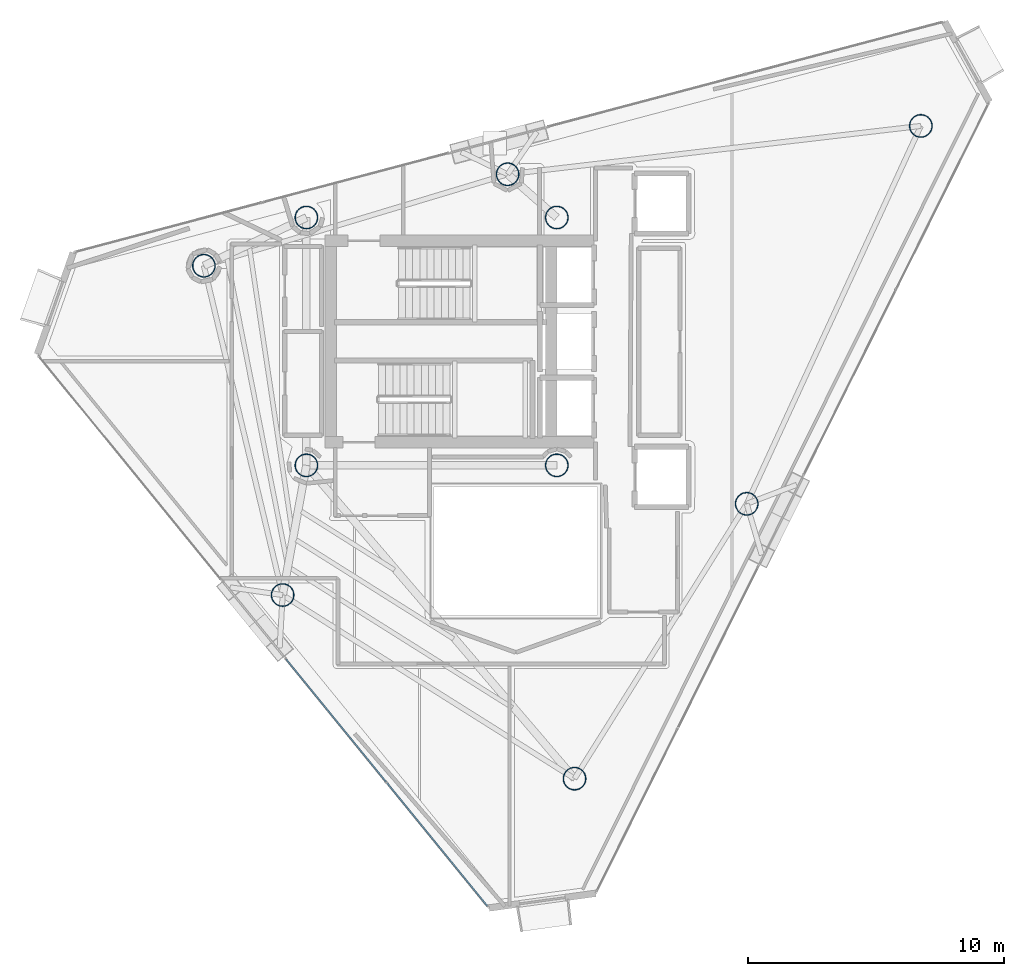
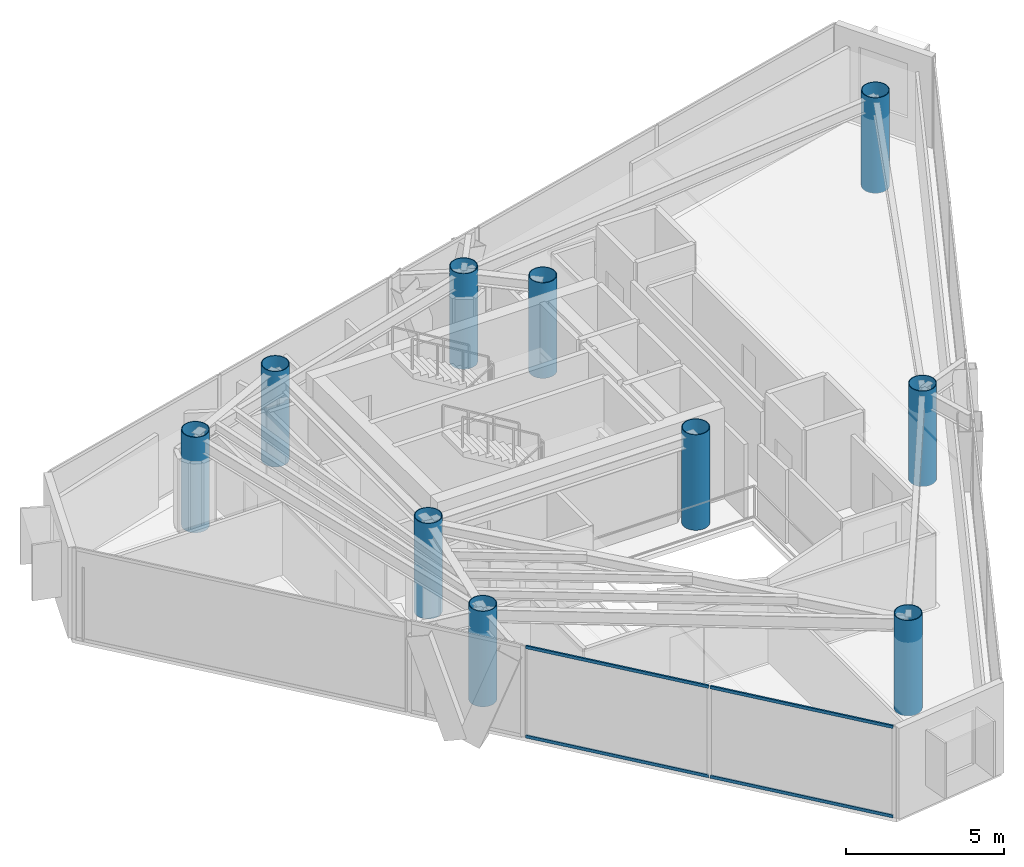
# One storey, part 1 of 23: 10 columns, 4 members, 1 element without a shape of its own.
"""IFC4 building model written with IfcOpenShell, lengths in metres."""

from ifc_helpers import new_model, si_unit, direction, frame, origin, origin_2d, place, context, subcontext, project, spatial, hollow_rectangle, hollow_circle, extrude, material, layer, layer_set, material_profile, profile_set, type_object, element, aggregate, save


model = new_model("IFC4")

# Units and contexts
model_context = context("Model", 3, precision=1e-05, world=origin(), true_north=direction((0.0, 1.0)))
body_context = subcontext(model_context, "Body", "Model", "MODEL_VIEW")
ifc_project = project(units=[si_unit("LENGTHUNIT", "METRE"), si_unit("AREAUNIT", "SQUARE_METRE"), si_unit("VOLUMEUNIT", "CUBIC_METRE"), si_unit("PLANEANGLEUNIT", "RADIAN"), si_unit("MASSUNIT", "GRAM", prefix="KILO")], contexts=[model_context])

# Site, building, storey
site_placement = place(None, origin())
site = spatial("IfcSite", under=ifc_project, at=site_placement, CompositionType="ELEMENT")
building_placement = place(site_placement, origin())
building = spatial("IfcBuilding", under=site, at=building_placement, Name="Qianvela Tower", CompositionType="ELEMENT")
storey_placement = place(building_placement, frame((0.0, 0.0, 313.89990234375)))
storey = spatial("IfcBuildingStorey", under=building, at=storey_placement, Name="L81", CompositionType="ELEMENT", Elevation=313.89990234375)

# Columns
ifc_material_1 = material(Name="Steel Q420GJC", Category="steel")
ifc_material_profile_1 = material_profile(ifc_material_1, hollow_circle(Radius=0.449951171875, WallThickness=0.02490234375, at=origin_2d()), Name="CFT-900x25")
ifc_profile_set_1 = profile_set([ifc_material_profile_1], Name="Steel Q420GJC")
column_type = type_object("IfcColumnType", Name="COL-CFT-900x25", PredefinedType="COLUMN", material=ifc_profile_set_1)
for number, where, z_axis, x_axis, name in (
    (1, (28.60009765625, 33.550048828125, 0.0), (0.0, 0.0, 1.0), (1.0, 0.0, 0.0), "L81 Core Corner Mega-Column CC-NW"),
    (2, (28.60009765625, 23.85009765625, 0.0), (0.0, 0.0, 1.0), (1.0, 0.0, 0.0), "L81 Core Corner Mega-Column CC-SW"),
    (3, (38.39990234375, 33.550048828125, 0.0), (0.0, 0.0, 1.0), (1.0, 0.0, 0.0), "L81 Core Corner Mega-Column CC-NE"),
    (4, (38.39990234375, 23.85009765625, 0.0), (0.0, 0.0, 1.0), (1.0, 0.0, 0.0), "L81 Core Corner Mega-Column CC-SE"),
    (5, (52.64794921875, 37.135009765625, 0.0), (0.0, 0.0, 1.0), (1.0, 0.0, 0.0), "L81 Zone Z7 CFT Mega-Column C1"),
    (6, (36.47607421875, 35.242919921875, 0.0), (0.0, 0.0, 1.0), (1.0, 0.0, 0.0), "L81 Zone Z7 CFT Mega-Column C2"),
    (7, (24.5869140625, 31.6630859375, 0.0), (0.0, 0.0, 1.0), (1.0, 0.0, 0.0), "L81 Zone Z7 CFT Mega-Column C3"),
    (8, (27.669921875, 18.77392578125, 0.0), (0.0, 0.0, 1.0), (1.0, 0.0, 0.0), "L81 Zone Z7 CFT Mega-Column C4"),
    (9, (39.095947265625, 11.587890625, 0.0), (0.0, 0.0, 1.0), (1.0, 0.0, 0.0), "L81 Zone Z7 CFT Mega-Column C5"),
    (10, (45.833984375, 22.344970703125, 0.0), (0.0, 0.0, 1.0), (1.0, 0.0, 0.0), "L81 Zone Z7 CFT Mega-Column C6"),
):
    element("IfcColumn", number, at=place(storey_placement, frame(where, z_axis=z_axis, x_axis=x_axis)), inside=storey, type_object=column_type, Name=name, PredefinedType="COLUMN", context=body_context, shape_type="SweptSolid", body=[
        extrude(hollow_circle(Radius=0.449951171875, WallThickness=0.02490234375, at=origin_2d()), origin(), (0.0, 0.0, 1.0), 3.7001953125),
    ])

# Curtain wall, members
ifc_material_2 = material(Name="Anodised Architectural Aluminium and Low-E Glass", Category="aluminium")
ifc_layer = layer(ifc_material_2, 0.14990234375)
ifc_layer_set = layer_set([ifc_layer], Name="Anodised Architectural Aluminium and Low-E Glass")
curtain_wall_type = type_object("IfcCurtainWallType", Name="CW-COLIV-Z78", PredefinedType="USERDEFINED", material=ifc_layer_set)
curtain_wall_placement = place(storey_placement, origin())
curtain_wall = element("IfcCurtainWall", 11, at=curtain_wall_placement, inside=storey, type_object=curtain_wall_type, Name="L81 CW-COLIV-Z78 Curtain Wall 04C", ObjectType="CURTAIN_WALL_SYSTEM", PredefinedType="USERDEFINED")
ifc_material_3 = material(Name="Anodised Architectural Aluminium 6063-T6", Category="aluminium")
ifc_material_profile_2 = material_profile(ifc_material_3, hollow_rectangle(XDim=0.06005859375, YDim=0.114990234375, WallThickness=0.00390625, at=origin_2d()), Name="ALU-TRAN-60x115")
ifc_profile_set_2 = profile_set([ifc_material_profile_2], Name="Anodised Architectural Aluminium 6063-T6")
member_type = type_object("IfcMemberType", Name="CW-COLIV-Z78-TRAN", PredefinedType="USERDEFINED", material=ifc_profile_set_2)
member_1_placement = place(storey_placement, frame((27.80224609375, 16.266357421875, 0.030029296875), z_axis=(0.632032171351, -0.774942149052, 0.0), x_axis=(0.774942149052, 0.632032171351, 0.0)))
member_1 = element("IfcMember", 12, at=member_1_placement, type_object=member_type, Name="CW-6 transom 1.1", ObjectType="TRANSOM", PredefinedType="USERDEFINED", context=body_context, shape_type="SweptSolid", body=[
    extrude(hollow_rectangle(XDim=0.06005859375, YDim=0.114990234375, WallThickness=0.00390625, at=origin_2d()), origin(), (0.0, 0.0, 1.0), 6.201416015625),
])
member_2_placement = place(storey_placement, frame((27.80224609375, 16.266357421875, 3.489990234375), z_axis=(0.632032171351, -0.774942149052, 0.0), x_axis=(0.774942149052, 0.632032171351, 0.0)))
member_2 = element("IfcMember", 13, at=member_2_placement, type_object=member_type, Name="CW-6 transom 1.2", ObjectType="TRANSOM", PredefinedType="USERDEFINED", context=body_context, shape_type="SweptSolid", body=[
    extrude(hollow_rectangle(XDim=0.06005859375, YDim=0.114990234375, WallThickness=0.00390625, at=origin_2d()), origin(), (0.0, 0.0, 1.0), 6.201416015625),
])
member_3_placement = place(storey_placement, frame((31.759521484375, 11.414306640625, 0.030029296875), z_axis=(0.632032171351, -0.774942149052, 0.0), x_axis=(0.774942149052, 0.632032171351, 0.0)))
member_3 = element("IfcMember", 14, at=member_3_placement, type_object=member_type, Name="CW-6 transom 2.1", ObjectType="TRANSOM", PredefinedType="USERDEFINED", context=body_context, shape_type="SweptSolid", body=[
    extrude(hollow_rectangle(XDim=0.06005859375, YDim=0.114990234375, WallThickness=0.00390625, at=origin_2d()), origin(), (0.0, 0.0, 1.0), 6.201416015625),
])
member_4_placement = place(storey_placement, frame((31.759521484375, 11.414306640625, 3.489990234375), z_axis=(0.632032171351, -0.774942149052, 0.0), x_axis=(0.774942149052, 0.632032171351, 0.0)))
member_4 = element("IfcMember", 15, at=member_4_placement, type_object=member_type, Name="CW-6 transom 2.2", ObjectType="TRANSOM", PredefinedType="USERDEFINED", context=body_context, shape_type="SweptSolid", body=[
    extrude(hollow_rectangle(XDim=0.06005859375, YDim=0.114990234375, WallThickness=0.00390625, at=origin_2d()), origin(), (0.0, 0.0, 1.0), 6.201416015625),
])
aggregate(curtain_wall, [member_1, member_2, member_3, member_4])

save(model, "model.ifc")
